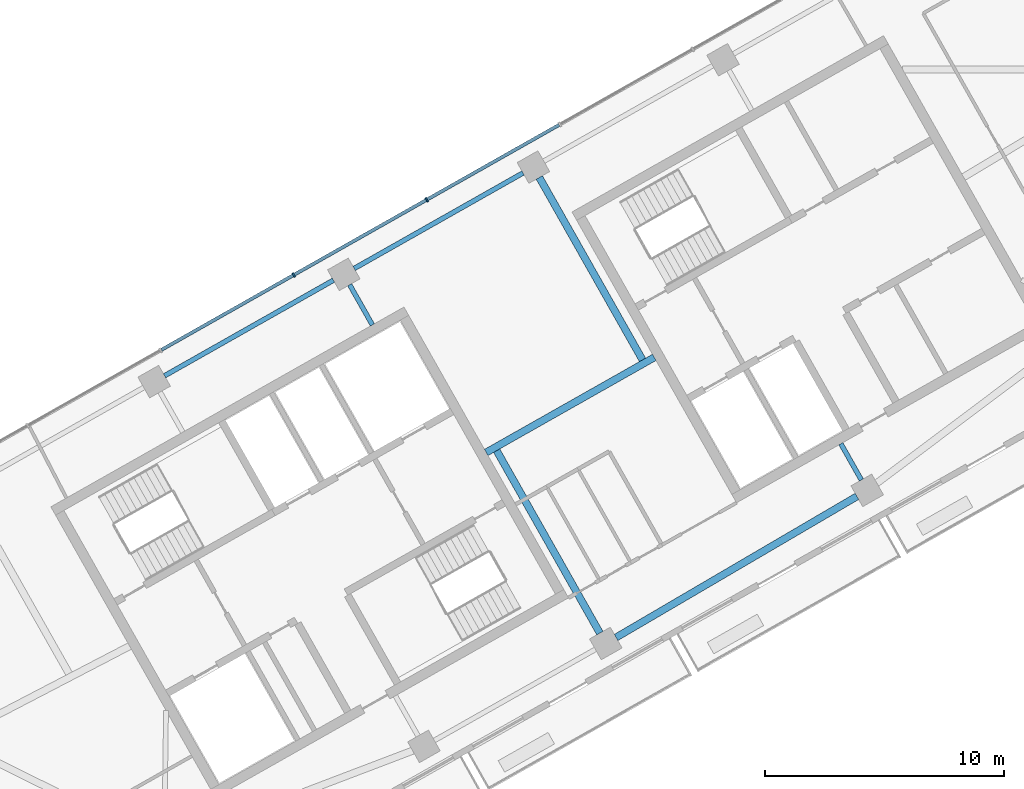
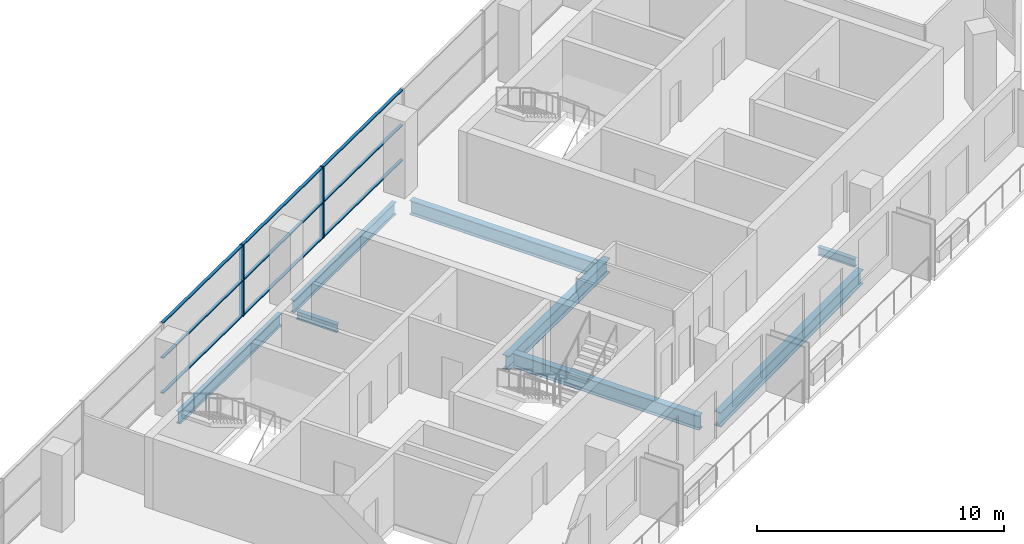
# One storey, part 3 of 10: 11 members, 8 beams, 1 element without a shape of its own.
"""IFC4 building model written with IfcOpenShell, lengths in metres."""

from ifc_helpers import new_model, si_unit, direction, frame, origin, origin_2d, place, context, subcontext, project, spatial, rectangle, i_section, extrude, material, material_profile, profile_set, type_object, element, aggregate, save


model = new_model("IFC4")

# Units and contexts
model_context = context("Model", 3, precision=1e-05, world=origin(), true_north=direction((0.0, 1.0)))
body_context = subcontext(model_context, "Body", "Model", "MODEL_VIEW")
ifc_project = project(units=[si_unit("LENGTHUNIT", "METRE"), si_unit("AREAUNIT", "SQUARE_METRE"), si_unit("VOLUMEUNIT", "CUBIC_METRE"), si_unit("PLANEANGLEUNIT", "RADIAN"), si_unit("MASSUNIT", "GRAM", prefix="KILO")], contexts=[model_context])

# Site, building, storey
site_placement = place(None, origin())
site = spatial("IfcSite", under=ifc_project, at=site_placement, CompositionType="ELEMENT")
building_placement = place(site_placement, origin())
building = spatial("IfcBuilding", under=site, at=building_placement, Name="Binnacle Exchange Tower", CompositionType="ELEMENT")
storey_placement = place(building_placement, frame((0.0, 0.0, 320.300048828125)))
storey = spatial("IfcBuildingStorey", under=building, at=storey_placement, Name="L72", CompositionType="ELEMENT", Elevation=320.300048828125)

# Curtain wall, members
ifc_material_1 = material(Name="Bronze anodised aluminium frame", Category="aluminium")
curtain_wall_type = type_object("IfcCurtainWallType", Name="External wall - curtain wall executive floors", PredefinedType="NOTDEFINED", material=ifc_material_1)
curtain_wall_placement = place(storey_placement, origin())
curtain_wall = element("IfcCurtainWall", 1, at=curtain_wall_placement, inside=storey, type_object=curtain_wall_type, Name="External wall curtain wall CW4-H03 L72", PredefinedType="NOTDEFINED")
ifc_material_profile_1 = material_profile(ifc_material_1, rectangle(XDim=0.199951171875, YDim=0.070068359375, at=origin_2d()), Name="AL 70x200")
ifc_profile_set_1 = profile_set([ifc_material_profile_1], Name="Bronze anodised aluminium frame")
member_type_1 = type_object("IfcMemberType", Name="CW4 MULLION 70x200", PredefinedType="MULLION", material=ifc_profile_set_1)
member_1_placement = place(storey_placement, frame((-30.85791015625, 54.541259765625, 0.0), z_axis=(0.0, 0.0, 1.0), x_axis=(0.492423763019, -0.870355581136, 0.0)))
member_1 = element("IfcMember", 2, at=member_1_placement, type_object=member_type_1, Name="CW4-H03 mullion 6", PredefinedType="MULLION", context=body_context, shape_type="SweptSolid", body=[
    extrude(rectangle(XDim=0.199951171875, YDim=0.070068359375, at=origin_2d()), origin(), (0.0, 0.0, 1.0), 3.52001953125),
])
member_2_placement = place(storey_placement, frame((-36.432861328125, 51.38720703125, 0.0), z_axis=(0.0, 0.0, 1.0), x_axis=(0.492423763019, -0.870355581136, 0.0)))
member_2 = element("IfcMember", 3, at=member_2_placement, type_object=member_type_1, Name="CW4-H03 mullion 7", PredefinedType="MULLION", context=body_context, shape_type="SweptSolid", body=[
    extrude(rectangle(XDim=0.199951171875, YDim=0.070068359375, at=origin_2d()), origin(), (0.0, 0.0, 1.0), 3.52001953125),
])
ifc_material_profile_2 = material_profile(ifc_material_1, rectangle(XDim=0.139892578125, YDim=0.050048828125, at=origin_2d()), Name="AL 140x50")
ifc_profile_set_2 = profile_set([ifc_material_profile_2], Name="Bronze anodised aluminium frame")
member_type_2 = type_object("IfcMemberType", Name="CW4 TRANSOM 50x140", PredefinedType="USERDEFINED", material=ifc_profile_set_2)
member_3_placement = place(storey_placement, frame((-25.3134765625, 57.67822265625, 0.02490234375), z_axis=(-0.870364679821, -0.492407680809, 0.0), x_axis=(0.492407680809, -0.870364679821, 0.0)))
member_3 = element("IfcMember", 4, at=member_3_placement, type_object=member_type_2, Name="CW4-H03 transom 5.1", ObjectType="TRANSOM", PredefinedType="USERDEFINED", context=body_context, shape_type="SweptSolid", body=[
    extrude(rectangle(XDim=0.139892578125, YDim=0.050048828125, at=origin_2d()), origin(), (0.0, 0.0, 1.0), 6.33544921875),
])
member_4_placement = place(storey_placement, frame((-25.3134765625, 57.67822265625, 1.760009765625), z_axis=(-0.870364679821, -0.492407680809, 0.0), x_axis=(0.492407680809, -0.870364679821, 0.0)))
member_4 = element("IfcMember", 5, at=member_4_placement, type_object=member_type_2, Name="CW4-H03 transom 5.2", ObjectType="TRANSOM", PredefinedType="USERDEFINED", context=body_context, shape_type="SweptSolid", body=[
    extrude(rectangle(XDim=0.139892578125, YDim=0.050048828125, at=origin_2d()), origin(), (0.0, 0.0, 1.0), 6.33544921875),
])
member_5_placement = place(storey_placement, frame((-25.3134765625, 57.67822265625, 3.494873046875), z_axis=(-0.870364679821, -0.492407680809, 0.0), x_axis=(0.492407680809, -0.870364679821, 0.0)))
member_5 = element("IfcMember", 6, at=member_5_placement, type_object=member_type_2, Name="CW4-H03 transom 5.3", ObjectType="TRANSOM", PredefinedType="USERDEFINED", context=body_context, shape_type="SweptSolid", body=[
    extrude(rectangle(XDim=0.139892578125, YDim=0.050048828125, at=origin_2d()), origin(), (0.0, 0.0, 1.0), 6.33544921875),
])
member_6_placement = place(storey_placement, frame((-30.888427734375, 54.524169921875, 0.02490234375), z_axis=(-0.870355335808, -0.492424196633, 0.0), x_axis=(0.492424196633, -0.870355335808, 0.0)))
member_6 = element("IfcMember", 7, at=member_6_placement, type_object=member_type_2, Name="CW4-H03 transom 6.1", ObjectType="TRANSOM", PredefinedType="USERDEFINED", context=body_context, shape_type="SweptSolid", body=[
    extrude(rectangle(XDim=0.139892578125, YDim=0.050048828125, at=origin_2d()), origin(), (0.0, 0.0, 1.0), 6.335205078125),
])
member_7_placement = place(storey_placement, frame((-30.888427734375, 54.524169921875, 1.760009765625), z_axis=(-0.870355335808, -0.492424196633, 0.0), x_axis=(0.492424196633, -0.870355335808, 0.0)))
member_7 = element("IfcMember", 8, at=member_7_placement, type_object=member_type_2, Name="CW4-H03 transom 6.2", ObjectType="TRANSOM", PredefinedType="USERDEFINED", context=body_context, shape_type="SweptSolid", body=[
    extrude(rectangle(XDim=0.139892578125, YDim=0.050048828125, at=origin_2d()), origin(), (0.0, 0.0, 1.0), 6.335205078125),
])
member_8_placement = place(storey_placement, frame((-30.888427734375, 54.524169921875, 3.494873046875), z_axis=(-0.870355335808, -0.492424196633, 0.0), x_axis=(0.492424196633, -0.870355335808, 0.0)))
member_8 = element("IfcMember", 9, at=member_8_placement, type_object=member_type_2, Name="CW4-H03 transom 6.3", ObjectType="TRANSOM", PredefinedType="USERDEFINED", context=body_context, shape_type="SweptSolid", body=[
    extrude(rectangle(XDim=0.139892578125, YDim=0.050048828125, at=origin_2d()), origin(), (0.0, 0.0, 1.0), 6.335205078125),
])
member_9_placement = place(storey_placement, frame((-36.46337890625, 51.3701171875, 0.02490234375), z_axis=(-0.870338819343, -0.492453388195, 0.0), x_axis=(0.492453388195, -0.870338819343, 0.0)))
member_9 = element("IfcMember", 10, at=member_9_placement, type_object=member_type_2, Name="CW4-H03 transom 7.1", ObjectType="TRANSOM", PredefinedType="USERDEFINED", context=body_context, shape_type="SweptSolid", body=[
    extrude(rectangle(XDim=0.139892578125, YDim=0.050048828125, at=origin_2d()), origin(), (0.0, 0.0, 1.0), 6.33544921875),
])
member_10_placement = place(storey_placement, frame((-36.46337890625, 51.3701171875, 1.760009765625), z_axis=(-0.870338819343, -0.492453388195, 0.0), x_axis=(0.492453388195, -0.870338819343, 0.0)))
member_10 = element("IfcMember", 11, at=member_10_placement, type_object=member_type_2, Name="CW4-H03 transom 7.2", ObjectType="TRANSOM", PredefinedType="USERDEFINED", context=body_context, shape_type="SweptSolid", body=[
    extrude(rectangle(XDim=0.139892578125, YDim=0.050048828125, at=origin_2d()), origin(), (0.0, 0.0, 1.0), 6.33544921875),
])
member_11_placement = place(storey_placement, frame((-36.46337890625, 51.3701171875, 3.494873046875), z_axis=(-0.870338819343, -0.492453388195, 0.0), x_axis=(0.492453388195, -0.870338819343, 0.0)))
member_11 = element("IfcMember", 12, at=member_11_placement, type_object=member_type_2, Name="CW4-H03 transom 7.3", ObjectType="TRANSOM", PredefinedType="USERDEFINED", context=body_context, shape_type="SweptSolid", body=[
    extrude(rectangle(XDim=0.139892578125, YDim=0.050048828125, at=origin_2d()), origin(), (0.0, 0.0, 1.0), 6.33544921875),
])
aggregate(curtain_wall, [member_1, member_2, member_3, member_4, member_5, member_6, member_7, member_8, member_9, member_10, member_11])

# Beams
ifc_material_2 = material(Name="Steel S355 (SHN355)", Category="steel")
ifc_material_profile_3 = material_profile(ifc_material_2, i_section(OverallWidth=0.201904296875, OverallDepth=0.612060546875, WebThickness=0.012939453125, FlangeThickness=0.02294921875, FilletRadius=0.02197265625, at=origin_2d()), Name="H 612x202x13x23")
ifc_profile_set_3 = profile_set([ifc_material_profile_3], Name="Steel S355 (SHN355)")
beam_type_1 = type_object("IfcBeamType", Name="Edge girder H 612x202x13x23 Steel S355 (SHN355)", PredefinedType="SPANDREL", material=ifc_profile_set_3)
beam_1_placement = place(storey_placement, frame((-34.76904296875, 51.168212890625, -0.5859375), z_axis=(-0.870345742373, -0.492441152558, 0.0), x_axis=(0.492441152558, -0.870345742373, 0.0)))
element("IfcBeam", 13, at=beam_1_placement, inside=storey, type_object=beam_type_1, Name="S:BM:edge:L72:009", PredefinedType="SPANDREL", context=body_context, shape_type="SweptSolid", body=[
    extrude(i_section(OverallWidth=0.201904296875, OverallDepth=0.612060546875, WebThickness=0.012939453125, FlangeThickness=0.02294921875, FilletRadius=0.02197265625, at=origin_2d()), origin(), (0.0, 0.0, 1.0), 8.129638671875),
])
beam_2_placement = place(storey_placement, frame((-26.82275390625, 55.6640625, -0.5859375), z_axis=(-0.870353024448, -0.49242828192, 0.0), x_axis=(0.49242828192, -0.870353024448, 0.0)))
element("IfcBeam", 14, at=beam_2_placement, inside=storey, type_object=beam_type_1, Name="S:BM:edge:L72:011", PredefinedType="SPANDREL", context=body_context, shape_type="SweptSolid", body=[
    extrude(i_section(OverallWidth=0.201904296875, OverallDepth=0.612060546875, WebThickness=0.012939453125, FlangeThickness=0.02294921875, FilletRadius=0.02197265625, at=origin_2d()), origin(), (0.0, 0.0, 1.0), 8.1298828125),
])
ifc_material_profile_4 = material_profile(ifc_material_2, i_section(OverallWidth=0.302001953125, OverallDepth=0.7080078125, WebThickness=0.014892578125, FlangeThickness=0.028076171875, FilletRadius=0.028076171875, at=origin_2d()), Name="H 708x302x15x28")
ifc_profile_set_4 = profile_set([ifc_material_profile_4], Name="Steel S355 (SHN355)")
beam_type_2 = type_object("IfcBeamType", Name="Edge girder H 708x302x15x28 Steel S355 (SHN355)", PredefinedType="SPANDREL", material=ifc_profile_set_4)
beam_3_placement = place(storey_placement, frame((-22.924560546875, 36.198974609375, -0.634033203125), z_axis=(0.862883491145, 0.505402889494, 0.0), x_axis=(-0.505402889494, 0.862883491145, 0.0)))
element("IfcBeam", 15, at=beam_3_placement, inside=storey, type_object=beam_type_2, Name="S:BM:edge:L72:012", PredefinedType="SPANDREL", context=body_context, shape_type="SweptSolid", body=[
    extrude(i_section(OverallWidth=0.302001953125, OverallDepth=0.7080078125, WebThickness=0.014892578125, FlangeThickness=0.028076171875, FilletRadius=0.028076171875, at=origin_2d()), origin(), (0.0, 0.0, 1.0), 11.69677734375),
])
ifc_material_profile_5 = material_profile(ifc_material_2, i_section(OverallWidth=0.199951171875, OverallDepth=0.39990234375, WebThickness=0.008056640625, FlangeThickness=0.012939453125, FilletRadius=0.01611328125, at=origin_2d()), Name="H 400x200x8x13")
ifc_profile_set_5 = profile_set([ifc_material_profile_5], Name="Steel S355 (SHN355)")
beam_type_3 = type_object("IfcBeamType", Name="Floor beam H 400x200x8x13 Steel S355 (SHN355)", PredefinedType="BEAM", material=ifc_profile_set_5)
beam_4_placement = place(storey_placement, frame((-34.087646484375, 50.979248046875, -0.47998046875), z_axis=(0.492464757892, -0.870332386065, 0.0), x_axis=(0.870332386065, 0.492464757892, 0.0)))
element("IfcBeam", 16, at=beam_4_placement, inside=storey, type_object=beam_type_3, Name="S:BM:cross:L72:022", PredefinedType="BEAM", context=body_context, shape_type="SweptSolid", body=[
    extrude(i_section(OverallWidth=0.199951171875, OverallDepth=0.39990234375, WebThickness=0.008056640625, FlangeThickness=0.012939453125, FilletRadius=0.01611328125, at=origin_2d()), origin(), (0.0, 0.0, 1.0), 1.934326171875),
])
beam_5_placement = place(storey_placement, frame((-12.646240234375, 42.79833984375, -0.47998046875), z_axis=(-0.492426196623, 0.870354204264, 0.0), x_axis=(-0.870354204264, -0.492426196623, 0.0)))
element("IfcBeam", 17, at=beam_5_placement, inside=storey, type_object=beam_type_3, Name="S:BM:cross:L72:027", PredefinedType="BEAM", context=body_context, shape_type="SweptSolid", body=[
    extrude(i_section(OverallWidth=0.199951171875, OverallDepth=0.39990234375, WebThickness=0.008056640625, FlangeThickness=0.012939453125, FilletRadius=0.01611328125, at=origin_2d()), origin(), (0.0, 0.0, 1.0), 1.744140625),
])
ifc_material_profile_6 = material_profile(ifc_material_2, i_section(OverallWidth=0.302001953125, OverallDepth=0.7080078125, WebThickness=0.014892578125, FlangeThickness=0.028076171875, FilletRadius=0.028076171875, at=origin_2d()), Name="H 708x302x15x28")
ifc_profile_set_6 = profile_set([ifc_material_profile_6], Name="Steel S355 (SHN355)")
beam_type_4 = type_object("IfcBeamType", Name="Floor beam H 708x302x15x28 Steel S355 (SHN355)", PredefinedType="BEAM", material=ifc_profile_set_6)
for number, where, z_axis, x_axis, name in (
    (18, (-26.141357421875, 55.47509765625, -0.634033203125), (0.492407973512, -0.870364514225, 0.0), (0.870364514225, 0.492407973512, 0.0), "S:BM:cross:L72:024"),
    (19, (-23.602294921875, 36.38134765625, -0.634033203125), (-0.492407973512, 0.870364514225, 0.0), (-0.870364514225, -0.492407973512, 0.0), "S:BM:cross:L72:025"),
):
    element("IfcBeam", number, at=place(storey_placement, frame(where, z_axis=z_axis, x_axis=x_axis)), inside=storey, type_object=beam_type_4, Name=name, PredefinedType="BEAM", context=body_context, shape_type="SweptSolid", body=[
        extrude(i_section(OverallWidth=0.302001953125, OverallDepth=0.7080078125, WebThickness=0.014892578125, FlangeThickness=0.028076171875, FilletRadius=0.028076171875, at=origin_2d()), origin(), (0.0, 0.0, 1.0), 8.7841796875),
    ])
ifc_material_profile_7 = material_profile(ifc_material_2, i_section(OverallWidth=0.302001953125, OverallDepth=0.7080078125, WebThickness=0.014892578125, FlangeThickness=0.028076171875, FilletRadius=0.028076171875, at=origin_2d()), Name="H 708x302x15x28")
ifc_profile_set_7 = profile_set([ifc_material_profile_7], Name="Steel S355 (SHN355)")
beam_type_5 = type_object("IfcBeamType", Name="Spine girder H 708x302x15x28 Steel S355 (SHN355)", PredefinedType="BEAM", material=ifc_profile_set_7)
beam_6_placement = place(storey_placement, frame((-28.365478515625, 43.951416015625, -0.634033203125), z_axis=(0.870350319004, 0.492433063684, 0.0), x_axis=(-0.492433063684, 0.870350319004, 0.0)))
element("IfcBeam", 20, at=beam_6_placement, inside=storey, type_object=beam_type_5, Name="S:BM:spine:L72:002", PredefinedType="BEAM", context=body_context, shape_type="SweptSolid", body=[
    extrude(i_section(OverallWidth=0.302001953125, OverallDepth=0.7080078125, WebThickness=0.014892578125, FlangeThickness=0.028076171875, FilletRadius=0.028076171875, at=origin_2d()), origin(), (0.0, 0.0, 1.0), 8.0908203125),
])

save(model, "model.ifc")
